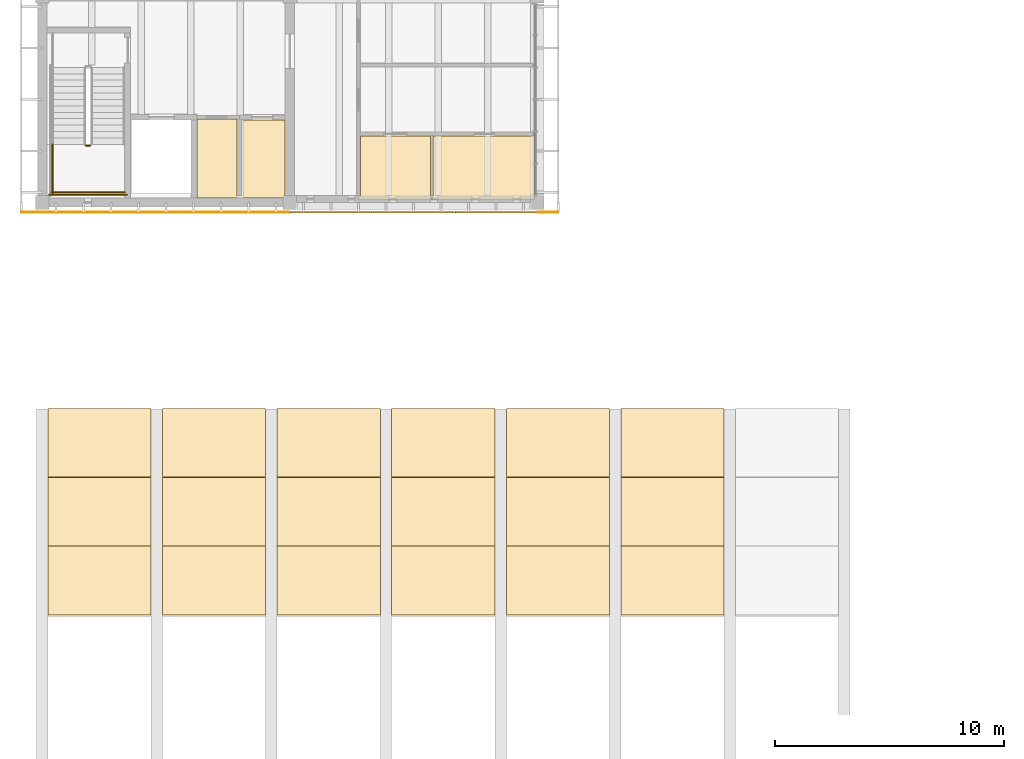
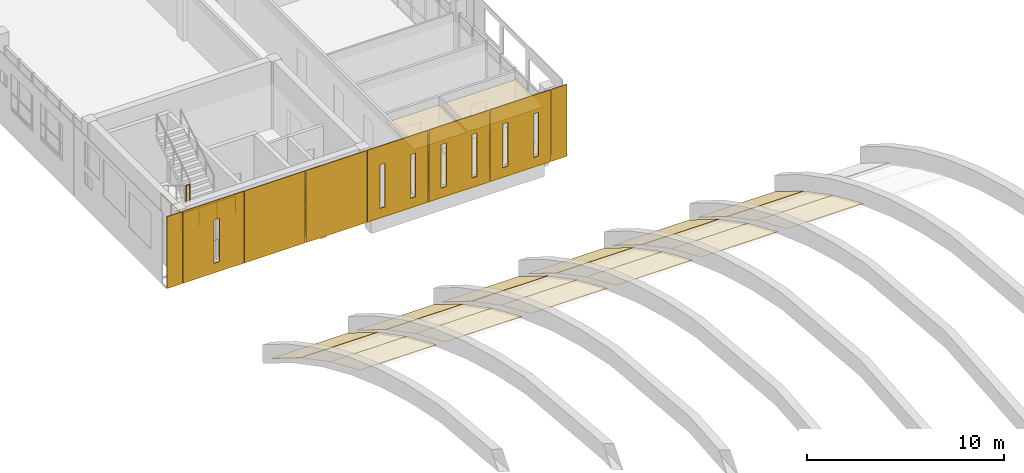
# One storey, part 68 of 88: 32 coverings, 4 railings.
"""IFC4 building model written with IfcOpenShell, lengths in metres."""

import ifcopenshell
import ifcopenshell.guid

model = None  # the IFC model being written
_history = None  # IfcOwnerHistory: only IFC2X3 demands one
_inside = {}  # id of a spatial element -> (the spatial element, [elements in it])
_under = {}  # id of a project, library or spatial element -> (it, [spatial elements below it])
_declared = {}  # id of a project -> (the project, [libraries it declares])
_typed = {}  # id of a type object -> (the type object, [elements of that type])
_made_of = {}  # id of a material, layer set ... -> (it, [elements and type objects made of it])


def new_model(schema):
    """Start an empty IFC model of exactly this schema.

    Asked for "IFC4X3", IfcOpenShell would pick the latest addendum, in which some entities
    have other attributes; the version numbers below select the first issue.
    IFC2X3 requires an IfcOwnerHistory on every rooted entity: one is made here for all.
    """
    global model, _history
    if schema == "IFC4X3":
        model = ifcopenshell.file(schema_version=(4, 3, 0, 0))
    else:
        model = ifcopenshell.file(schema=schema)
    _inside.clear()
    _under.clear()
    _declared.clear()
    _typed.clear()
    _made_of.clear()
    _history = None
    if model.schema == "IFC2X3":
        org = make("IfcOrganization", Name="unknown")
        user = make(
            "IfcPersonAndOrganization",
            ThePerson=make("IfcPerson", FamilyName="unknown"),
            TheOrganization=org,
        )
        app = make(
            "IfcApplication",
            ApplicationDeveloper=org,
            Version="unknown",
            ApplicationFullName="unknown",
            ApplicationIdentifier="unknown",
        )
        _history = make(
            "IfcOwnerHistory",
            OwningUser=user,
            OwningApplication=app,
            ChangeAction="ADDED",
            CreationDate=0,
        )
    return model


def make(cls, **values):
    """One entity of the class cls with the attributes given. An attribute that is None is left unset."""
    return model.create_entity(
        cls, **{name: value for name, value in values.items() if value is not None}
    )


def rooted(cls, **values):
    """An entity with a GlobalId (a new one), such as an element, a storey or a relation."""
    return make(cls, GlobalId=ifcopenshell.guid.new(), OwnerHistory=_history, **values)


def si_unit(unit_type, name, prefix=None):
    """IfcSIUnit, for example si_unit("LENGTHUNIT", "METRE", prefix="MILLI")."""
    return make("IfcSIUnit", UnitType=unit_type, Prefix=prefix, Name=name)


def assignment(units):
    """IfcUnitAssignment: the units of a project."""
    return None if units is None else make("IfcUnitAssignment", Units=units)


def point(xyz):
    """IfcCartesianPoint."""
    return None if xyz is None else make("IfcCartesianPoint", Coordinates=xyz)


def direction(xyz):
    """IfcDirection."""
    return None if xyz is None else make("IfcDirection", DirectionRatios=xyz)


def frame(location, z_axis=None, x_axis=None):
    """IfcAxis2Placement3D, a coordinate frame: its origin and axes. An axis left out is left unset."""
    return make(
        "IfcAxis2Placement3D",
        Location=point(location),
        Axis=direction(z_axis),
        RefDirection=direction(x_axis),
    )


def frame_2d(location, x_axis=None):
    """IfcAxis2Placement2D, a coordinate frame in the plane: its origin and x axis."""
    return make(
        "IfcAxis2Placement2D", Location=point(location), RefDirection=direction(x_axis)
    )


def origin():
    """The frame at (0, 0, 0) with its axes left unset."""
    return frame((0.0, 0.0, 0.0))


def origin_2d():
    """The frame at (0, 0) in the plane with its x axis left unset."""
    return frame_2d((0.0, 0.0))


def place(relative_to, where):
    """IfcLocalPlacement: puts the frame where relative to a parent placement (None: the world)."""
    return make(
        "IfcLocalPlacement", PlacementRelTo=relative_to, RelativePlacement=where
    )


def context(
    kind, dimensions, precision=None, world=None, true_north=None, identifier=None
):
    """IfcGeometricRepresentationContext, for example the 3D "Model" context."""
    return make(
        "IfcGeometricRepresentationContext",
        ContextIdentifier=identifier,
        ContextType=kind,
        CoordinateSpaceDimension=dimensions,
        Precision=precision,
        WorldCoordinateSystem=world,
        TrueNorth=true_north,
    )


def subcontext(parent, identifier, kind, view, scale=None):
    """IfcGeometricRepresentationSubContext, for example "Body" below "Model"."""
    return make(
        "IfcGeometricRepresentationSubContext",
        ContextIdentifier=identifier,
        ContextType=kind,
        ParentContext=parent,
        TargetScale=scale,
        TargetView=view,
    )


def project(units=None, contexts=None):
    """IfcProject with its units and contexts."""
    return rooted(
        "IfcProject",
        Name="project",
        RepresentationContexts=contexts,
        UnitsInContext=assignment(units),
    )


def spatial(cls, under=None, at=None, **own):
    """A site, building, storey or space (cls), placed at a placement, below another one or the project."""
    s = rooted(cls, ObjectPlacement=at, **own)
    if under is not None:
        _under.setdefault(under.id(), (under, []))[1].append(s)
    return s


def polyline(points):
    """IfcPolyline through the points."""
    return make("IfcPolyline", Points=[point(p) for p in points])


def profile(cls, at=None, kind="AREA", **sizes):
    """A parametric profile (cls). Its sizes go by their IFC names, for example OverallWidth=200.0."""
    return make(cls, ProfileType=kind, Position=at, **sizes)


def circle(**sizes):
    """IfcCircleProfileDef."""
    return profile("IfcCircleProfileDef", **sizes)


def outline(outer, holes=None, kind="AREA"):
    """IfcArbitraryClosedProfileDef: a profile drawn as a closed curve; with holes, ...WithVoids."""
    if holes is None:
        return make("IfcArbitraryClosedProfileDef", ProfileType=kind, OuterCurve=outer)
    return make(
        "IfcArbitraryProfileDefWithVoids",
        ProfileType=kind,
        OuterCurve=outer,
        InnerCurves=holes,
    )


def extrude(swept, where, along, depth):
    """IfcExtrudedAreaSolid: the profile swept, set in the frame where, extruded along a direction by depth."""
    return make(
        "IfcExtrudedAreaSolid",
        SweptArea=swept,
        Position=where,
        ExtrudedDirection=direction(along),
        Depth=depth,
    )


def shape(context_of_items, identifier, shape_type, items):
    """IfcShapeRepresentation: the items that make up one representation, for example the "Body"."""
    return make(
        "IfcShapeRepresentation",
        ContextOfItems=context_of_items,
        RepresentationIdentifier=identifier,
        RepresentationType=shape_type,
        Items=items,
    )


def source(mapping_origin, context_of_items, identifier, shape_type, items):
    """IfcRepresentationMap: a shape defined once, which mapped items show again and again."""
    return make(
        "IfcRepresentationMap",
        MappingOrigin=mapping_origin,
        MappedRepresentation=shape(context_of_items, identifier, shape_type, items),
    )


def transform(
    local_origin,
    x_axis=None,
    y_axis=None,
    z_axis=None,
    scale=None,
    scale2=None,
    scale3=None,
    uniform=True,
):
    """IfcCartesianTransformationOperator3D, or its non-uniform kind. x_axis, y_axis, z_axis: its Axis1, 2, 3."""
    if uniform:
        return make(
            "IfcCartesianTransformationOperator3D",
            Axis1=direction(x_axis),
            Axis2=direction(y_axis),
            LocalOrigin=point(local_origin),
            Scale=scale,
            Axis3=direction(z_axis),
        )
    return make(
        "IfcCartesianTransformationOperator3DnonUniform",
        Axis1=direction(x_axis),
        Axis2=direction(y_axis),
        LocalOrigin=point(local_origin),
        Scale=scale,
        Axis3=direction(z_axis),
        Scale2=scale2,
        Scale3=scale3,
    )


def mapped(mapping_source, mapping_target):
    """IfcMappedItem: shows the shape of a source again, moved by a transform."""
    return make(
        "IfcMappedItem", MappingSource=mapping_source, MappingTarget=mapping_target
    )


def material(Name=None, Category=None):
    """IfcMaterial."""
    return make("IfcMaterial", Name=Name, Category=Category)


def layer(
    of_material, thickness, ventilated=None, Name=None, Category=None, Priority=None
):
    """IfcMaterialLayer: one layer of a wall or slab, of a material (None: an air gap)."""
    return make(
        "IfcMaterialLayer",
        Material=of_material,
        LayerThickness=thickness,
        IsVentilated=ventilated,
        Name=Name,
        Category=Category,
        Priority=Priority,
    )


def layer_set(layers, Name=None):
    """IfcMaterialLayerSet."""
    return make("IfcMaterialLayerSet", MaterialLayers=layers, LayerSetName=Name)


def made_of(thing, what):
    """Note that an element or type object is made of a material, layer set ...; save() writes the relation."""
    if what is not None:
        _made_of.setdefault(what.id(), (what, []))[1].append(thing)
    return thing


def type_object(cls, material=None, **own):
    """A type object (cls), such as IfcWallType, which elements share."""
    return made_of(rooted(cls, **own), material)


def element(
    cls,
    number,
    at=None,
    inside=None,
    cuts=None,
    type_object=None,
    material=None,
    context=None,
    identifier="Body",
    shape_type=None,
    held_by="IfcProductDefinitionShape",
    body=None,
    shapes=None,
    **own,
):
    """One element of the class cls, such as IfcWall. Its Tag is "e" and its number.

    at: its placement. inside: the storey or other place that contains it. cuts: it is an
    opening in that element (IfcRelVoidsElement). A single representation is given by context,
    identifier, shape_type and body (its items); several are given by shapes. held_by: the class
    of the entity that holds the representations. save() writes the other relations.
    """
    e = rooted(cls, Tag="e%d" % number, ObjectPlacement=at, **own)
    if body is not None:
        shapes = [shape(context, identifier, shape_type, body)]
    if shapes is not None:
        e.Representation = make(held_by, Representations=shapes)
    if inside is not None:
        _inside.setdefault(inside.id(), (inside, []))[1].append(e)
    if cuts is not None:
        rooted(
            "IfcRelVoidsElement", RelatingBuildingElement=cuts, RelatedOpeningElement=e
        )
    if type_object is not None:
        _typed.setdefault(type_object.id(), (type_object, []))[1].append(e)
    return made_of(e, material)


def aggregate(whole, parts):
    """IfcRelAggregates: a whole, such as a stair, and the parts it consists of."""
    return rooted("IfcRelAggregates", RelatingObject=whole, RelatedObjects=parts)


def save(model, path):
    """Write the relations noted so far, then the file.

    IfcRelAggregates (storeys below a building ...), IfcRelContainedInSpatialStructure (elements
    in a storey), IfcRelDefinesByType, IfcRelAssociatesMaterial and IfcRelDeclares: one each for
    every whole, place, type object, material and project.
    """
    for whole, parts in _under.values():
        aggregate(whole, parts)
    for where, things in _inside.values():
        rooted(
            "IfcRelContainedInSpatialStructure",
            RelatedElements=things,
            RelatingStructure=where,
        )
    for kind, things in _typed.values():
        rooted("IfcRelDefinesByType", RelatedObjects=things, RelatingType=kind)
    for what, things in _made_of.values():
        rooted("IfcRelAssociatesMaterial", RelatedObjects=things, RelatingMaterial=what)
    for by, libraries in _declared.values():
        rooted("IfcRelDeclares", RelatingContext=by, RelatedDefinitions=libraries)
    model.write(path)


model = new_model("IFC4")

# Units and contexts
model_context = context("Model", 3, precision=1e-05, world=origin(), true_north=direction((0.0, 1.0)))
body_context = subcontext(model_context, "Body", "Model", "MODEL_VIEW")
ifc_project = project(units=[si_unit("LENGTHUNIT", "METRE"), si_unit("AREAUNIT", "SQUARE_METRE"), si_unit("VOLUMEUNIT", "CUBIC_METRE"), si_unit("PLANEANGLEUNIT", "RADIAN"), si_unit("MASSUNIT", "GRAM", prefix="KILO")], contexts=[model_context])

# Site, building, storey
site_placement = place(None, origin())
site = spatial("IfcSite", under=ifc_project, at=site_placement, CompositionType="ELEMENT")
building_placement = place(site_placement, origin())
building = spatial("IfcBuilding", under=site, at=building_placement, Name="Merrow Basin Faculty of Sciences", CompositionType="ELEMENT")
storey_placement = place(building_placement, frame((0.0, 0.0, 9.0)))
storey = spatial("IfcBuildingStorey", under=building, at=storey_placement, Name="L02", CompositionType="ELEMENT", Elevation=9.0)

# Coverings
ifc_material_1 = material(Name="Carpet tile floor")
ifc_layer_1 = layer(ifc_material_1, 0.02001953125)
ifc_layer_set_1 = layer_set([ifc_layer_1], Name="Carpet tile floor")
covering_type_1 = type_object("IfcCoveringType", Name="Carpet tile floor", PredefinedType="FLOORING", material=ifc_layer_set_1)
covering_1_placement = place(storey_placement, origin())
element("IfcCovering", 1, at=covering_1_placement, inside=storey, type_object=covering_type_1, Name="Floor finish L02-B-004", PredefinedType="FLOORING", context=body_context, shape_type="SweptSolid", body=[
    extrude(outline(polyline([(10.590087890625, 64.614990234375), (10.590087890625, 61.2900390625), (10.7900390625, 61.2900390625), (10.7900390625, 61.110107421875), (10.510009765625, 61.110107421875), (10.510009765625, 61.2099609375), (8.610107421875, 61.2099609375), (8.610107421875, 61.2900390625), (8.7099609375, 61.2900390625), (8.7099609375, 64.614990234375), (10.590087890625, 64.614990234375)])), origin(), (0.0, 0.0, 1.0), 0.02001953125),
])
ifc_material_2 = material(Name="Ceramic floor tile")
ifc_layer_2 = layer(ifc_material_2, 0.02001953125)
ifc_layer_set_2 = layer_set([ifc_layer_2], Name="Ceramic floor tile")
covering_type_2 = type_object("IfcCoveringType", Name="Ceramic floor tile", PredefinedType="FLOORING", material=ifc_layer_set_2)
covering_2_placement = place(storey_placement, origin())
element("IfcCovering", 2, at=covering_2_placement, inside=storey, type_object=covering_type_2, Name="Floor finish L02-B-014", PredefinedType="FLOORING", context=body_context, shape_type="SweptSolid", body=[
    extrude(outline(polyline([(16.989990234375, 61.110107421875), (13.81005859375, 61.110107421875), (13.81005859375, 61.2900390625), (13.885009765625, 61.2900390625), (13.885009765625, 63.9150390625), (16.93994140625, 63.9150390625), (16.93994140625, 61.2900390625), (16.989990234375, 61.2900390625), (16.989990234375, 61.110107421875)])), origin(), (0.0, 0.0, 1.0), 0.02001953125),
])
covering_3_placement = place(storey_placement, origin())
element("IfcCovering", 3, at=covering_3_placement, inside=storey, type_object=covering_type_2, Name="Floor finish L02-B-015", PredefinedType="FLOORING", context=body_context, shape_type="SweptSolid", body=[
    extrude(outline(polyline([(21.489990234375, 63.989990234375), (21.489990234375, 61.110107421875), (17.010009765625, 61.110107421875), (17.010009765625, 61.2900390625), (17.06005859375, 61.2900390625), (17.06005859375, 63.9150390625), (21.429931640625, 63.9150390625), (21.429931640625, 63.989990234375), (21.489990234375, 63.989990234375)])), origin(), (0.0, 0.0, 1.0), 0.02001953125),
])
ifc_material_3 = material(Name="Sealed concrete floor", Category="concrete")
ifc_layer_3 = layer(ifc_material_3, 0.02001953125)
ifc_layer_set_3 = layer_set([ifc_layer_3], Name="Sealed concrete floor")
covering_type_3 = type_object("IfcCoveringType", Name="Sealed concrete floor", PredefinedType="FLOORING", material=ifc_layer_set_3)
covering_4_placement = place(storey_placement, origin())
element("IfcCovering", 4, at=covering_4_placement, inside=storey, type_object=covering_type_3, Name="Floor finish L02-B-003", PredefinedType="FLOORING", context=body_context, shape_type="SweptSolid", body=[
    extrude(outline(polyline([(8.590087890625, 61.2099609375), (6.760009765625, 61.2099609375), (6.760009765625, 64.639892578125), (8.489990234375, 64.639892578125), (8.489990234375, 61.2900390625), (8.590087890625, 61.2900390625), (8.590087890625, 61.2099609375)])), origin(), (0.0, 0.0, 1.0), 0.02001953125),
])
ifc_material_4 = material(Name="Bituminous roofing membrane")
ifc_layer_4 = layer(ifc_material_4, 0.030029296875)
ifc_layer_set_4 = layer_set([ifc_layer_4], Name="Shell waterproofing 30")
covering_type_4 = type_object("IfcCoveringType", Name="Shell waterproofing 30", PredefinedType="ROOFING", material=ifc_layer_set_4)
covering_5_placement = place(storey_placement, frame((0.25, 43.011962890625, 4.89697265625), z_axis=(0.0, 0.398876188653, 0.917004790677), x_axis=(1.0, 0.0, 0.0)))
element("IfcCovering", 5, at=covering_5_placement, inside=storey, type_object=covering_type_4, Name="Shell waterproofing", PredefinedType="ROOFING", context=body_context, shape_type="SweptSolid", body=[
    extrude(outline(polyline([(0.0, 0.0), (4.5, 0.0), (4.5, 3.271520531297986), (0.0, 3.271520531297986), (0.0, 0.0)])), origin(), (0.0, 0.0, -1.0), 0.030029296875),
])
covering_6_placement = place(storey_placement, frame((0.25, 46.013916015625, 3.591064453125), z_axis=(0.0, 0.46369174099, 0.885996596685), x_axis=(1.0, 0.0, 0.0)))
element("IfcCovering", 6, at=covering_6_placement, inside=storey, type_object=covering_type_4, Name="Shell waterproofing", PredefinedType="ROOFING", context=body_context, shape_type="SweptSolid", body=[
    extrude(outline(polyline([(0.0, 0.0), (4.5, 0.0), (4.5, 3.3860175210873473), (0.0, 3.3860175210873473), (0.0, 0.0)])), origin(), (0.0, 0.0, -1.0), 0.030029296875),
])
covering_7_placement = place(storey_placement, frame((0.25, 49.01611328125, 2.02001953125), z_axis=(0.0, 0.528358336207, 0.84902147709), x_axis=(1.0, 0.0, 0.0)))
element("IfcCovering", 7, at=covering_7_placement, inside=storey, type_object=covering_type_4, Name="Shell waterproofing", PredefinedType="ROOFING", context=body_context, shape_type="SweptSolid", body=[
    extrude(outline(polyline([(0.0, 0.0), (4.5, 0.0), (4.5, 3.53347951842294), (0.0, 3.53347951842294), (0.0, 0.0)])), origin(), (0.0, 0.0, -1.0), 0.030029296875),
])
covering_8_placement = place(storey_placement, frame((5.25, 43.011962890625, 4.89697265625), z_axis=(0.0, 0.398876188653, 0.917004790677), x_axis=(1.0, 0.0, 0.0)))
element("IfcCovering", 8, at=covering_8_placement, inside=storey, type_object=covering_type_4, Name="Shell waterproofing", PredefinedType="ROOFING", context=body_context, shape_type="SweptSolid", body=[
    extrude(outline(polyline([(0.0, 0.0), (4.5, 0.0), (4.5, 3.271520531297986), (0.0, 3.271520531297986), (0.0, 0.0)])), origin(), (0.0, 0.0, -1.0), 0.030029296875),
])
covering_9_placement = place(storey_placement, frame((5.25, 46.013916015625, 3.591064453125), z_axis=(0.0, 0.46369174099, 0.885996596685), x_axis=(1.0, 0.0, 0.0)))
element("IfcCovering", 9, at=covering_9_placement, inside=storey, type_object=covering_type_4, Name="Shell waterproofing", PredefinedType="ROOFING", context=body_context, shape_type="SweptSolid", body=[
    extrude(outline(polyline([(0.0, 0.0), (4.5, 0.0), (4.5, 3.3860175210873473), (0.0, 3.3860175210873473), (0.0, 0.0)])), origin(), (0.0, 0.0, -1.0), 0.030029296875),
])
covering_10_placement = place(storey_placement, frame((5.25, 49.01611328125, 2.02001953125), z_axis=(0.0, 0.528358336207, 0.84902147709), x_axis=(1.0, 0.0, 0.0)))
element("IfcCovering", 10, at=covering_10_placement, inside=storey, type_object=covering_type_4, Name="Shell waterproofing", PredefinedType="ROOFING", context=body_context, shape_type="SweptSolid", body=[
    extrude(outline(polyline([(0.0, 0.0), (4.5, 0.0), (4.5, 3.53347951842294), (0.0, 3.53347951842294), (0.0, 0.0)])), origin(), (0.0, 0.0, -1.0), 0.030029296875),
])
covering_11_placement = place(storey_placement, frame((10.25, 43.011962890625, 4.89697265625), z_axis=(0.0, 0.398876188653, 0.917004790677), x_axis=(1.0, 0.0, 0.0)))
element("IfcCovering", 11, at=covering_11_placement, inside=storey, type_object=covering_type_4, Name="Shell waterproofing", PredefinedType="ROOFING", context=body_context, shape_type="SweptSolid", body=[
    extrude(outline(polyline([(0.0, 0.0), (4.5, 0.0), (4.5, 3.271520531297986), (0.0, 3.271520531297986), (0.0, 0.0)])), origin(), (0.0, 0.0, -1.0), 0.030029296875),
])
covering_12_placement = place(storey_placement, frame((10.25, 46.013916015625, 3.591064453125), z_axis=(0.0, 0.46369174099, 0.885996596685), x_axis=(1.0, 0.0, 0.0)))
element("IfcCovering", 12, at=covering_12_placement, inside=storey, type_object=covering_type_4, Name="Shell waterproofing", PredefinedType="ROOFING", context=body_context, shape_type="SweptSolid", body=[
    extrude(outline(polyline([(0.0, 0.0), (4.5, 0.0), (4.5, 3.3860175210873473), (0.0, 3.3860175210873473), (0.0, 0.0)])), origin(), (0.0, 0.0, -1.0), 0.030029296875),
])
covering_13_placement = place(storey_placement, frame((10.25, 49.01611328125, 2.02001953125), z_axis=(0.0, 0.528358336207, 0.84902147709), x_axis=(1.0, 0.0, 0.0)))
element("IfcCovering", 13, at=covering_13_placement, inside=storey, type_object=covering_type_4, Name="Shell waterproofing", PredefinedType="ROOFING", context=body_context, shape_type="SweptSolid", body=[
    extrude(outline(polyline([(0.0, 0.0), (4.5, 0.0), (4.5, 3.53347951842294), (0.0, 3.53347951842294), (0.0, 0.0)])), origin(), (0.0, 0.0, -1.0), 0.030029296875),
])
covering_14_placement = place(storey_placement, frame((15.25, 43.011962890625, 4.89697265625), z_axis=(0.0, 0.398876188653, 0.917004790677), x_axis=(1.0, 0.0, 0.0)))
element("IfcCovering", 14, at=covering_14_placement, inside=storey, type_object=covering_type_4, Name="Shell waterproofing", PredefinedType="ROOFING", context=body_context, shape_type="SweptSolid", body=[
    extrude(outline(polyline([(0.0, 0.0), (4.5, 0.0), (4.5, 3.271520531297986), (0.0, 3.271520531297986), (0.0, 0.0)])), origin(), (0.0, 0.0, -1.0), 0.030029296875),
])
covering_15_placement = place(storey_placement, frame((15.25, 46.013916015625, 3.591064453125), z_axis=(0.0, 0.46369174099, 0.885996596685), x_axis=(1.0, 0.0, 0.0)))
element("IfcCovering", 15, at=covering_15_placement, inside=storey, type_object=covering_type_4, Name="Shell waterproofing", PredefinedType="ROOFING", context=body_context, shape_type="SweptSolid", body=[
    extrude(outline(polyline([(0.0, 0.0), (4.5, 0.0), (4.5, 3.3860175210873473), (0.0, 3.3860175210873473), (0.0, 0.0)])), origin(), (0.0, 0.0, -1.0), 0.030029296875),
])
covering_16_placement = place(storey_placement, frame((15.25, 49.01611328125, 2.02001953125), z_axis=(0.0, 0.528358336207, 0.84902147709), x_axis=(1.0, 0.0, 0.0)))
element("IfcCovering", 16, at=covering_16_placement, inside=storey, type_object=covering_type_4, Name="Shell waterproofing", PredefinedType="ROOFING", context=body_context, shape_type="SweptSolid", body=[
    extrude(outline(polyline([(0.0, 0.0), (4.5, 0.0), (4.5, 3.53347951842294), (0.0, 3.53347951842294), (0.0, 0.0)])), origin(), (0.0, 0.0, -1.0), 0.030029296875),
])
covering_17_placement = place(storey_placement, frame((20.25, 43.011962890625, 4.89697265625), z_axis=(0.0, 0.398876188653, 0.917004790677), x_axis=(1.0, 0.0, 0.0)))
element("IfcCovering", 17, at=covering_17_placement, inside=storey, type_object=covering_type_4, Name="Shell waterproofing", PredefinedType="ROOFING", context=body_context, shape_type="SweptSolid", body=[
    extrude(outline(polyline([(0.0, 0.0), (4.5, 0.0), (4.5, 3.271520531297986), (0.0, 3.271520531297986), (0.0, 0.0)])), origin(), (0.0, 0.0, -1.0), 0.030029296875),
])
covering_18_placement = place(storey_placement, frame((20.25, 46.013916015625, 3.591064453125), z_axis=(0.0, 0.46369174099, 0.885996596685), x_axis=(1.0, 0.0, 0.0)))
element("IfcCovering", 18, at=covering_18_placement, inside=storey, type_object=covering_type_4, Name="Shell waterproofing", PredefinedType="ROOFING", context=body_context, shape_type="SweptSolid", body=[
    extrude(outline(polyline([(0.0, 0.0), (4.5, 0.0), (4.5, 3.3860175210873473), (0.0, 3.3860175210873473), (0.0, 0.0)])), origin(), (0.0, 0.0, -1.0), 0.030029296875),
])
covering_19_placement = place(storey_placement, frame((20.25, 49.01611328125, 2.02001953125), z_axis=(0.0, 0.528358336207, 0.84902147709), x_axis=(1.0, 0.0, 0.0)))
element("IfcCovering", 19, at=covering_19_placement, inside=storey, type_object=covering_type_4, Name="Shell waterproofing", PredefinedType="ROOFING", context=body_context, shape_type="SweptSolid", body=[
    extrude(outline(polyline([(0.0, 0.0), (4.5, 0.0), (4.5, 3.53347951842294), (0.0, 3.53347951842294), (0.0, 0.0)])), origin(), (0.0, 0.0, -1.0), 0.030029296875),
])
covering_20_placement = place(storey_placement, frame((25.25, 43.011962890625, 4.89697265625), z_axis=(0.0, 0.398876188653, 0.917004790677), x_axis=(1.0, 0.0, 0.0)))
element("IfcCovering", 20, at=covering_20_placement, inside=storey, type_object=covering_type_4, Name="Shell waterproofing", PredefinedType="ROOFING", context=body_context, shape_type="SweptSolid", body=[
    extrude(outline(polyline([(0.0, 0.0), (4.5, 0.0), (4.5, 3.271520531297986), (0.0, 3.271520531297986), (0.0, 0.0)])), origin(), (0.0, 0.0, -1.0), 0.030029296875),
])
covering_21_placement = place(storey_placement, frame((25.25, 46.013916015625, 3.591064453125), z_axis=(0.0, 0.46369174099, 0.885996596685), x_axis=(1.0, 0.0, 0.0)))
element("IfcCovering", 21, at=covering_21_placement, inside=storey, type_object=covering_type_4, Name="Shell waterproofing", PredefinedType="ROOFING", context=body_context, shape_type="SweptSolid", body=[
    extrude(outline(polyline([(0.0, 0.0), (4.5, 0.0), (4.5, 3.3860175210873473), (0.0, 3.3860175210873473), (0.0, 0.0)])), origin(), (0.0, 0.0, -1.0), 0.030029296875),
])
covering_22_placement = place(storey_placement, frame((25.25, 49.01611328125, 2.02001953125), z_axis=(0.0, 0.528358336207, 0.84902147709), x_axis=(1.0, 0.0, 0.0)))
element("IfcCovering", 22, at=covering_22_placement, inside=storey, type_object=covering_type_4, Name="Shell waterproofing", PredefinedType="ROOFING", context=body_context, shape_type="SweptSolid", body=[
    extrude(outline(polyline([(0.0, 0.0), (4.5, 0.0), (4.5, 3.53347951842294), (0.0, 3.53347951842294), (0.0, 0.0)])), origin(), (0.0, 0.0, -1.0), 0.030029296875),
])

# Railings
ifc_material_5 = material(Name="Steel ASTM A36", Category="steel")
railing_type = type_object("IfcRailingType", Name="Steel guard 1100", PredefinedType="GUARDRAIL", material=ifc_material_5)
railing_1_placement = place(storey_placement, frame((1.89990234375, 63.489990234375, 2.25)))
element("IfcRailing", 23, at=railing_1_placement, inside=storey, type_object=railing_type, Name="L02 ST-V4-S stair guard 2", PredefinedType="GUARDRAIL", context=body_context, shape_type="SweptSolid", body=[
    extrude(circle(Radius=0.02392578125, at=origin_2d()), frame((0.0, 0.0, 1.076171875), z_axis=(1.0, 0.0, 0.0), x_axis=(0.0, 1.0, 0.0)), (0.0, 0.0, 1.0), 0.2001953125),
    extrude(circle(Radius=0.02099609375, at=origin_2d()), origin(), (0.0, 0.0, 1.0), 1.052001953125),
    extrude(circle(Radius=0.02099609375, at=origin_2d()), frame((0.2001953125, 0.0, 0.0)), (0.0, 0.0, 1.0), 1.052001953125),
])
railing_2_placement = place(storey_placement, frame((0.449951171875, 63.5400390625, 2.25)))
element("IfcRailing", 24, at=railing_2_placement, inside=storey, type_object=railing_type, Name="L02 ST-V4-S stair guard 3", PredefinedType="GUARDRAIL", context=body_context, shape_type="SweptSolid", body=[
    extrude(circle(Radius=0.02392578125, at=origin_2d()), frame((0.0, 0.0, 1.076171875), z_axis=(0.0, -1.0, 0.0), x_axis=(1.0, 0.0, 0.0)), (0.0, 0.0, 1.0), 2.14013671875),
    extrude(circle(Radius=0.02099609375, at=origin_2d()), origin(), (0.0, 0.0, 1.0), 1.052001953125),
    extrude(circle(Radius=0.02099609375, at=origin_2d()), frame((0.0, -1.070068359375, 0.0)), (0.0, 0.0, 1.0), 1.052001953125),
    extrude(circle(Radius=0.02099609375, at=origin_2d()), frame((0.0, -2.14013671875, 0.0)), (0.0, 0.0, 1.0), 1.052001953125),
])
railing_3_placement = place(storey_placement, frame((0.39990234375, 61.449951171875, 2.25)))
element("IfcRailing", 25, at=railing_3_placement, inside=storey, type_object=railing_type, Name="L02 ST-V4-S stair guard 4", PredefinedType="GUARDRAIL", context=body_context, shape_type="SweptSolid", body=[
    extrude(circle(Radius=0.02392578125, at=origin_2d()), frame((0.0, 0.0, 1.076171875), z_axis=(1.0, 0.0, 0.0), x_axis=(0.0, 1.0, 0.0)), (0.0, 0.0, 1.0), 3.2001953125),
    extrude(circle(Radius=0.02099609375, at=origin_2d()), origin(), (0.0, 0.0, 1.0), 1.052001953125),
    extrude(circle(Radius=0.02099609375, at=origin_2d()), frame((1.066650390625, 0.0, 0.0)), (0.0, 0.0, 1.0), 1.052001953125),
    extrude(circle(Radius=0.02099609375, at=origin_2d()), frame((2.133544921875, 0.0, 0.0)), (0.0, 0.0, 1.0), 1.052001953125),
    extrude(circle(Radius=0.02099609375, at=origin_2d()), frame((3.2001953125, 0.0, 0.0)), (0.0, 0.0, 1.0), 1.052001953125),
])
railing_4_placement = place(storey_placement, frame((0.300048828125, 61.35009765625, 0.0)))
element("IfcRailing", 26, at=railing_4_placement, inside=storey, type_object=railing_type, Name="L02 ST-V4-S stair guard 9", PredefinedType="GUARDRAIL", context=body_context, shape_type="SweptSolid", body=[
    extrude(circle(Radius=0.02392578125, at=origin_2d()), frame((0.0, 0.0, 1.076171875), z_axis=(1.0, 0.0, 0.0), x_axis=(0.0, 1.0, 0.0)), (0.0, 0.0, 1.0), 3.39990234375),
    extrude(circle(Radius=0.02099609375, at=origin_2d()), origin(), (0.0, 0.0, 1.0), 1.052001953125),
    extrude(circle(Radius=0.02099609375, at=origin_2d()), frame((1.13330078125, 0.0, 0.0)), (0.0, 0.0, 1.0), 1.052001953125),
    extrude(circle(Radius=0.02099609375, at=origin_2d()), frame((2.2666015625, 0.0, 0.0)), (0.0, 0.0, 1.0), 1.052001953125),
    extrude(circle(Radius=0.02099609375, at=origin_2d()), frame((3.39990234375, 0.0, 0.0)), (0.0, 0.0, 1.0), 1.052001953125),
])

# Coverings
ifc_material_6 = material(Name="Mineral fibre ceiling tile")
ifc_layer_5 = layer(ifc_material_6, 0.050048828125)
ifc_layer_set_5 = layer_set([ifc_layer_5], Name="Suspended acoustic ceiling tile")
covering_type_5 = type_object("IfcCoveringType", Name="Suspended acoustic ceiling tile", PredefinedType="CEILING", material=ifc_layer_set_5)
covering_23_placement = place(storey_placement, frame((0.0, 0.0, 2.75)))
element("IfcCovering", 27, at=covering_23_placement, inside=storey, type_object=covering_type_5, Name="Ceiling L02-B-014", PredefinedType="CEILING", context=body_context, shape_type="SweptSolid", body=[
    extrude(outline(polyline([(16.989990234375, 61.110107421875), (13.81005859375, 61.110107421875), (13.81005859375, 61.2900390625), (13.885009765625, 61.2900390625), (13.885009765625, 63.9150390625), (16.93994140625, 63.9150390625), (16.93994140625, 61.2900390625), (16.989990234375, 61.2900390625), (16.989990234375, 61.110107421875)])), origin(), (0.0, 0.0, 1.0), 0.050048828125),
])
covering_24_placement = place(storey_placement, frame((0.0, 0.0, 2.75)))
element("IfcCovering", 28, at=covering_24_placement, inside=storey, type_object=covering_type_5, Name="Ceiling L02-B-015", PredefinedType="CEILING", context=body_context, shape_type="SweptSolid", body=[
    extrude(outline(polyline([(21.489990234375, 63.989990234375), (21.489990234375, 61.110107421875), (17.010009765625, 61.110107421875), (17.010009765625, 61.2900390625), (17.06005859375, 61.2900390625), (17.06005859375, 63.9150390625), (21.429931640625, 63.9150390625), (21.429931640625, 63.989990234375), (21.489990234375, 63.989990234375)])), origin(), (0.0, 0.0, 1.0), 0.050048828125),
])
ifc_material_7 = material(Name="White powder-coated aluminium", Category="aluminium")
ifc_layer_6 = layer(ifc_material_7, 0.0400390625)
ifc_layer_set_6 = layer_set([ifc_layer_6], Name="End corner panel 940 x 4500")
covering_type_6 = type_object("IfcCoveringType", Name="End corner panel 940 x 4500", PredefinedType="CLADDING", material=ifc_layer_set_6)
shared_shape_1 = source(origin(), body_context, "Body", "SweptSolid", [
    extrude(outline(polyline([(0.02001953125, 0.02001953125), (0.919921875, 0.02001953125), (0.919921875, 4.47998046875), (0.02001953125, 4.47998046875), (0.02001953125, 0.02001953125)])), origin(), (0.0, 0.0, 1.0), 0.0400390625),
])
covering_25_placement = place(storey_placement, frame((0.0, 60.56005859375, -0.320068359375), z_axis=(0.0, 1.0, 0.0), x_axis=(-1.0, 0.0, 0.0)))
element("IfcCovering", 29, at=covering_25_placement, inside=storey, type_object=covering_type_6, Name="End panel SL02-01", PredefinedType="CLADDING", context=body_context, shape_type="MappedRepresentation", body=[
    mapped(shared_shape_1, transform((0.0, 0.0, 0.0), scale=1.0)),
])
ifc_material_8 = material(Name="White powder-coated aluminium", Category="aluminium")
ifc_layer_7 = layer(ifc_material_8, 0.0400390625)
ifc_layer_set_7 = layer_set([ifc_layer_7], Name="End panel 3600 x 4500")
covering_type_7 = type_object("IfcCoveringType", Name="End panel 3600 x 4500", PredefinedType="CLADDING", material=ifc_layer_set_7)
shared_shape_2 = source(origin(), body_context, "Body", "SweptSolid", [
    extrude(outline(polyline([(0.02001953125, 0.02001953125), (3.580078125, 0.02001953125), (3.580078125, 4.47998046875), (0.02001953125, 4.47998046875), (0.02001953125, 0.02001953125)]), holes=[polyline([(1.449951171875, 0.6201171875), (1.75, 0.6201171875), (1.75, 3.320068359375), (1.449951171875, 3.320068359375), (1.449951171875, 0.6201171875)])]), origin(), (0.0, 0.0, 1.0), 0.0400390625),
])
covering_26_placement = place(storey_placement, frame((3.60009765625, 60.56005859375, -0.320068359375), z_axis=(0.0, 1.0, 0.0), x_axis=(-1.0, 0.0, 0.0)))
element("IfcCovering", 30, at=covering_26_placement, inside=storey, type_object=covering_type_7, Name="End panel SL02-02", PredefinedType="CLADDING", context=body_context, shape_type="MappedRepresentation", body=[
    mapped(shared_shape_2, transform((0.0, 0.0, 0.0), scale=1.0)),
])
shared_shape_3 = source(origin(), body_context, "Body", "SweptSolid", [
    extrude(outline(polyline([(0.02001953125, 0.02001953125), (3.580078125, 0.02001953125), (3.580078125, 4.47998046875), (0.02001953125, 4.47998046875), (0.02001953125, 0.02001953125)])), origin(), (0.0, 0.0, 1.0), 0.0400390625),
])
covering_27_placement = place(storey_placement, frame((7.199951171875, 60.56005859375, -0.320068359375), z_axis=(0.0, 1.0, 0.0), x_axis=(-1.0, 0.0, 0.0)))
element("IfcCovering", 31, at=covering_27_placement, inside=storey, type_object=covering_type_7, Name="End panel SL02-03", PredefinedType="CLADDING", context=body_context, shape_type="MappedRepresentation", body=[
    mapped(shared_shape_3, transform((0.0, 0.0, 0.0), scale=1.0)),
])
shared_shape_4 = source(origin(), body_context, "Body", "SweptSolid", [
    extrude(outline(polyline([(0.02001953125, 0.02001953125), (3.580078125, 0.02001953125), (3.580078125, 4.47998046875), (0.02001953125, 4.47998046875), (0.02001953125, 0.02001953125)])), origin(), (0.0, 0.0, 1.0), 0.0400390625),
])
covering_28_placement = place(storey_placement, frame((10.800048828125, 60.56005859375, -0.320068359375), z_axis=(0.0, 1.0, 0.0), x_axis=(-1.0, 0.0, 0.0)))
element("IfcCovering", 32, at=covering_28_placement, inside=storey, type_object=covering_type_7, Name="End panel SL02-04", PredefinedType="CLADDING", context=body_context, shape_type="MappedRepresentation", body=[
    mapped(shared_shape_4, transform((0.0, 0.0, 0.0), scale=1.0)),
])
shared_shape_5 = source(origin(), body_context, "Body", "SweptSolid", [
    extrude(outline(polyline([(0.02001953125, 0.02001953125), (3.580078125, 0.02001953125), (3.580078125, 4.47998046875), (0.02001953125, 4.47998046875), (0.02001953125, 0.02001953125)]), holes=[polyline([(2.550048828125, 0.6201171875), (2.85009765625, 0.6201171875), (2.85009765625, 3.320068359375), (2.550048828125, 3.320068359375), (2.550048828125, 0.6201171875)]), polyline([(0.75, 0.6201171875), (1.050048828125, 0.6201171875), (1.050048828125, 3.320068359375), (0.75, 3.320068359375), (0.75, 0.6201171875)])]), origin(), (0.0, 0.0, 1.0), 0.0400390625),
])
covering_29_placement = place(storey_placement, frame((14.39990234375, 60.56005859375, -0.320068359375), z_axis=(0.0, 1.0, 0.0), x_axis=(-1.0, 0.0, 0.0)))
element("IfcCovering", 33, at=covering_29_placement, inside=storey, type_object=covering_type_7, Name="End panel SL02-05", PredefinedType="CLADDING", context=body_context, shape_type="MappedRepresentation", body=[
    mapped(shared_shape_5, transform((0.0, 0.0, 0.0), scale=1.0)),
])
shared_shape_6 = source(origin(), body_context, "Body", "SweptSolid", [
    extrude(outline(polyline([(0.02001953125, 0.02001953125), (3.580078125, 0.02001953125), (3.580078125, 4.47998046875), (0.02001953125, 4.47998046875), (0.02001953125, 0.02001953125)]), holes=[polyline([(2.550048828125, 0.6201171875), (2.85009765625, 0.6201171875), (2.85009765625, 3.320068359375), (2.550048828125, 3.320068359375), (2.550048828125, 0.6201171875)]), polyline([(0.75, 0.6201171875), (1.050048828125, 0.6201171875), (1.050048828125, 3.320068359375), (0.75, 3.320068359375), (0.75, 0.6201171875)])]), origin(), (0.0, 0.0, 1.0), 0.0400390625),
])
covering_30_placement = place(storey_placement, frame((18.0, 60.56005859375, -0.320068359375), z_axis=(0.0, 1.0, 0.0), x_axis=(-1.0, 0.0, 0.0)))
element("IfcCovering", 34, at=covering_30_placement, inside=storey, type_object=covering_type_7, Name="End panel SL02-06", PredefinedType="CLADDING", context=body_context, shape_type="MappedRepresentation", body=[
    mapped(shared_shape_6, transform((0.0, 0.0, 0.0), scale=1.0)),
])
shared_shape_7 = source(origin(), body_context, "Body", "SweptSolid", [
    extrude(outline(polyline([(0.02001953125, 0.02001953125), (3.580078125, 0.02001953125), (3.580078125, 4.47998046875), (0.02001953125, 4.47998046875), (0.02001953125, 0.02001953125)]), holes=[polyline([(2.550048828125, 0.6201171875), (2.85009765625, 0.6201171875), (2.85009765625, 3.320068359375), (2.550048828125, 3.320068359375), (2.550048828125, 0.6201171875)]), polyline([(0.75, 0.6201171875), (1.050048828125, 0.6201171875), (1.050048828125, 3.320068359375), (0.75, 3.320068359375), (0.75, 0.6201171875)])]), origin(), (0.0, 0.0, 1.0), 0.0400390625),
])
covering_31_placement = place(storey_placement, frame((21.60009765625, 60.56005859375, -0.320068359375), z_axis=(0.0, 1.0, 0.0), x_axis=(-1.0, 0.0, 0.0)))
element("IfcCovering", 35, at=covering_31_placement, inside=storey, type_object=covering_type_7, Name="End panel SL02-07", PredefinedType="CLADDING", context=body_context, shape_type="MappedRepresentation", body=[
    mapped(shared_shape_7, transform((0.0, 0.0, 0.0), scale=1.0)),
])
shared_shape_8 = source(origin(), body_context, "Body", "SweptSolid", [
    extrude(outline(polyline([(0.02001953125, 0.02001953125), (0.919921875, 0.02001953125), (0.919921875, 4.47998046875), (0.02001953125, 4.47998046875), (0.02001953125, 0.02001953125)])), origin(), (0.0, 0.0, 1.0), 0.0400390625),
])
covering_32_placement = place(storey_placement, frame((22.5400390625, 60.56005859375, -0.320068359375), z_axis=(0.0, 1.0, 0.0), x_axis=(-1.0, 0.0, 0.0)))
element("IfcCovering", 36, at=covering_32_placement, inside=storey, type_object=covering_type_6, Name="End panel SL02-08", PredefinedType="CLADDING", context=body_context, shape_type="MappedRepresentation", body=[
    mapped(shared_shape_8, transform((0.0, 0.0, 0.0), scale=1.0)),
])

save(model, "model.ifc")
